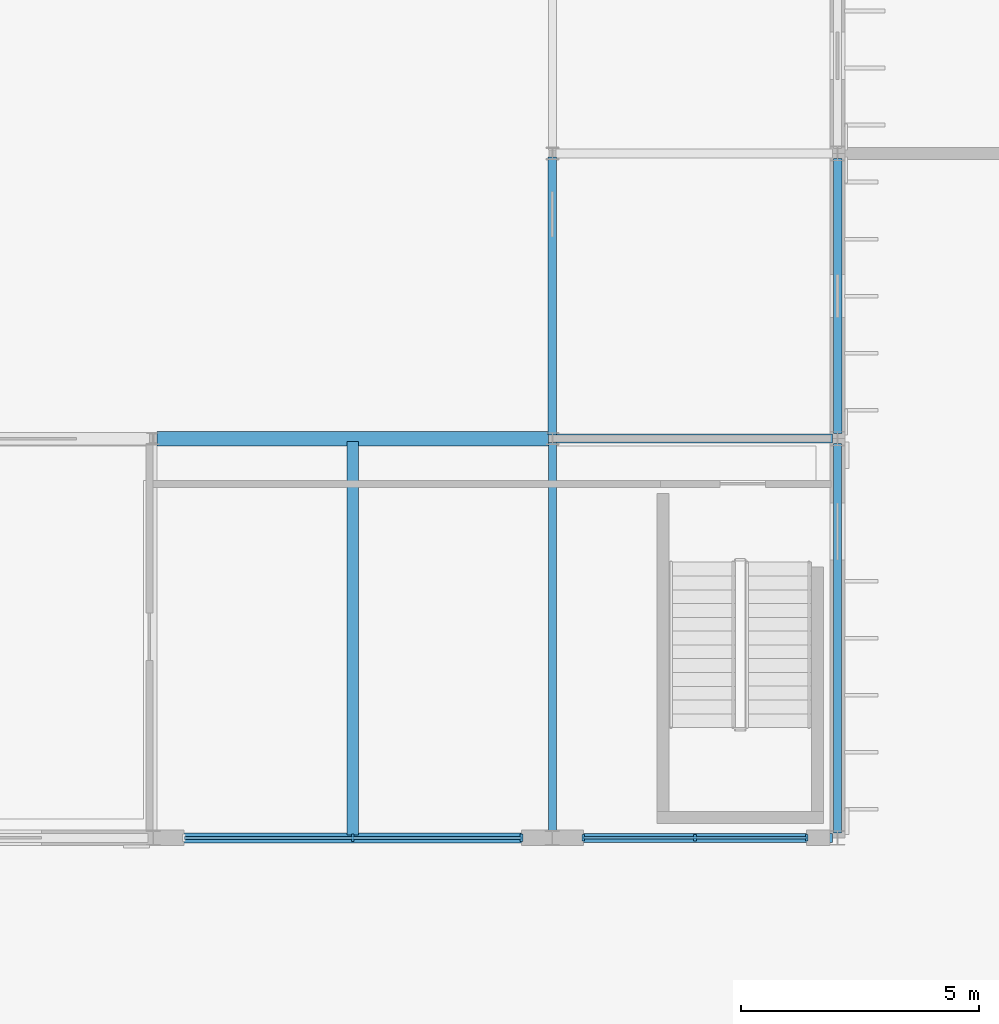
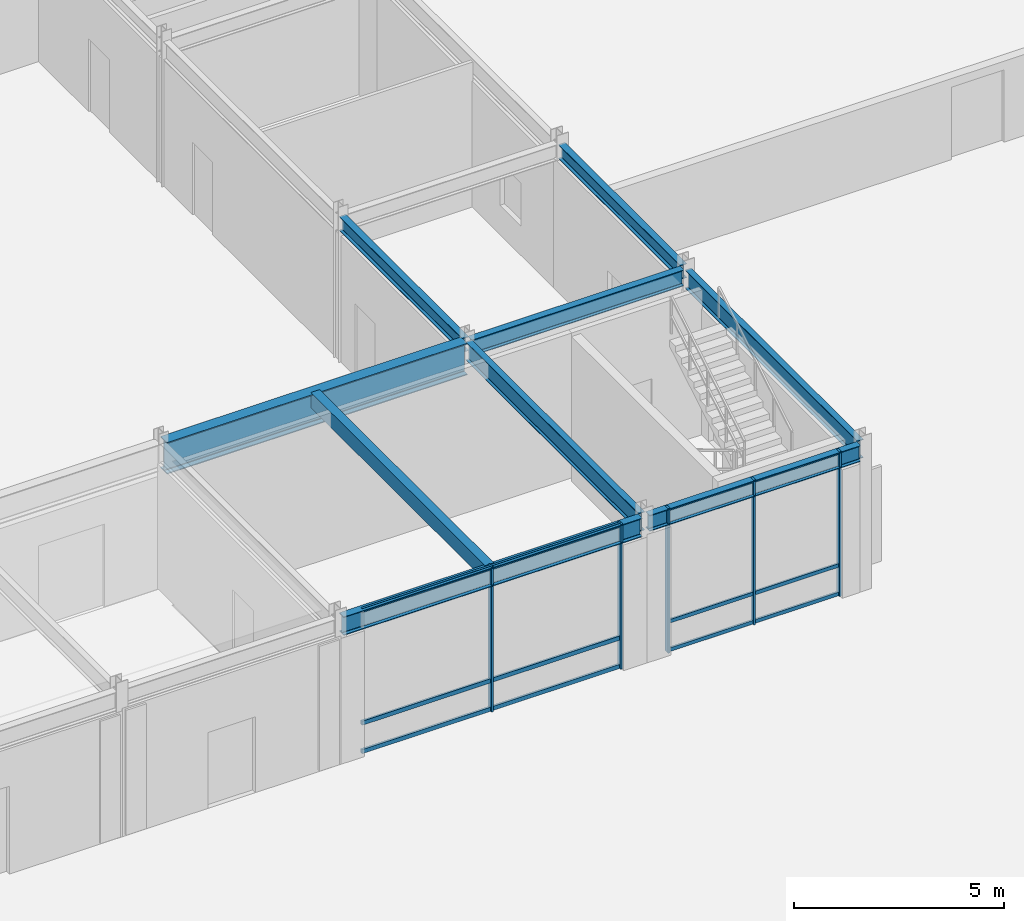
# One storey, part 18 of 67: 11 members, 9 beams, 2 elements without a shape of their own.
"""IFC4 building model written with IfcOpenShell, lengths in metres."""

import ifcopenshell
import ifcopenshell.guid

model = None  # the IFC model being written
_history = None  # IfcOwnerHistory: only IFC2X3 demands one
_inside = {}  # id of a spatial element -> (the spatial element, [elements in it])
_under = {}  # id of a project, library or spatial element -> (it, [spatial elements below it])
_declared = {}  # id of a project -> (the project, [libraries it declares])
_typed = {}  # id of a type object -> (the type object, [elements of that type])
_made_of = {}  # id of a material, layer set ... -> (it, [elements and type objects made of it])


def new_model(schema):
    """Start an empty IFC model of exactly this schema.

    Asked for "IFC4X3", IfcOpenShell would pick the latest addendum, in which some entities
    have other attributes; the version numbers below select the first issue.
    IFC2X3 requires an IfcOwnerHistory on every rooted entity: one is made here for all.
    """
    global model, _history
    if schema == "IFC4X3":
        model = ifcopenshell.file(schema_version=(4, 3, 0, 0))
    else:
        model = ifcopenshell.file(schema=schema)
    _inside.clear()
    _under.clear()
    _declared.clear()
    _typed.clear()
    _made_of.clear()
    _history = None
    if model.schema == "IFC2X3":
        org = make("IfcOrganization", Name="unknown")
        user = make(
            "IfcPersonAndOrganization",
            ThePerson=make("IfcPerson", FamilyName="unknown"),
            TheOrganization=org,
        )
        app = make(
            "IfcApplication",
            ApplicationDeveloper=org,
            Version="unknown",
            ApplicationFullName="unknown",
            ApplicationIdentifier="unknown",
        )
        _history = make(
            "IfcOwnerHistory",
            OwningUser=user,
            OwningApplication=app,
            ChangeAction="ADDED",
            CreationDate=0,
        )
    return model


def make(cls, **values):
    """One entity of the class cls with the attributes given. An attribute that is None is left unset."""
    return model.create_entity(
        cls, **{name: value for name, value in values.items() if value is not None}
    )


def rooted(cls, **values):
    """An entity with a GlobalId (a new one), such as an element, a storey or a relation."""
    return make(cls, GlobalId=ifcopenshell.guid.new(), OwnerHistory=_history, **values)


def si_unit(unit_type, name, prefix=None):
    """IfcSIUnit, for example si_unit("LENGTHUNIT", "METRE", prefix="MILLI")."""
    return make("IfcSIUnit", UnitType=unit_type, Prefix=prefix, Name=name)


def assignment(units):
    """IfcUnitAssignment: the units of a project."""
    return None if units is None else make("IfcUnitAssignment", Units=units)


def point(xyz):
    """IfcCartesianPoint."""
    return None if xyz is None else make("IfcCartesianPoint", Coordinates=xyz)


def direction(xyz):
    """IfcDirection."""
    return None if xyz is None else make("IfcDirection", DirectionRatios=xyz)


def frame(location, z_axis=None, x_axis=None):
    """IfcAxis2Placement3D, a coordinate frame: its origin and axes. An axis left out is left unset."""
    return make(
        "IfcAxis2Placement3D",
        Location=point(location),
        Axis=direction(z_axis),
        RefDirection=direction(x_axis),
    )


def frame_2d(location, x_axis=None):
    """IfcAxis2Placement2D, a coordinate frame in the plane: its origin and x axis."""
    return make(
        "IfcAxis2Placement2D", Location=point(location), RefDirection=direction(x_axis)
    )


def origin():
    """The frame at (0, 0, 0) with its axes left unset."""
    return frame((0.0, 0.0, 0.0))


def origin_2d():
    """The frame at (0, 0) in the plane with its x axis left unset."""
    return frame_2d((0.0, 0.0))


def place(relative_to, where):
    """IfcLocalPlacement: puts the frame where relative to a parent placement (None: the world)."""
    return make(
        "IfcLocalPlacement", PlacementRelTo=relative_to, RelativePlacement=where
    )


def context(
    kind, dimensions, precision=None, world=None, true_north=None, identifier=None
):
    """IfcGeometricRepresentationContext, for example the 3D "Model" context."""
    return make(
        "IfcGeometricRepresentationContext",
        ContextIdentifier=identifier,
        ContextType=kind,
        CoordinateSpaceDimension=dimensions,
        Precision=precision,
        WorldCoordinateSystem=world,
        TrueNorth=true_north,
    )


def subcontext(parent, identifier, kind, view, scale=None):
    """IfcGeometricRepresentationSubContext, for example "Body" below "Model"."""
    return make(
        "IfcGeometricRepresentationSubContext",
        ContextIdentifier=identifier,
        ContextType=kind,
        ParentContext=parent,
        TargetScale=scale,
        TargetView=view,
    )


def project(units=None, contexts=None):
    """IfcProject with its units and contexts."""
    return rooted(
        "IfcProject",
        Name="project",
        RepresentationContexts=contexts,
        UnitsInContext=assignment(units),
    )


def spatial(cls, under=None, at=None, **own):
    """A site, building, storey or space (cls), placed at a placement, below another one or the project."""
    s = rooted(cls, ObjectPlacement=at, **own)
    if under is not None:
        _under.setdefault(under.id(), (under, []))[1].append(s)
    return s


def profile(cls, at=None, kind="AREA", **sizes):
    """A parametric profile (cls). Its sizes go by their IFC names, for example OverallWidth=200.0."""
    return make(cls, ProfileType=kind, Position=at, **sizes)


def rectangle(**sizes):
    """IfcRectangleProfileDef."""
    return profile("IfcRectangleProfileDef", **sizes)


def i_section(**sizes):
    """IfcIShapeProfileDef."""
    return profile("IfcIShapeProfileDef", **sizes)


def extrude(swept, where, along, depth):
    """IfcExtrudedAreaSolid: the profile swept, set in the frame where, extruded along a direction by depth."""
    return make(
        "IfcExtrudedAreaSolid",
        SweptArea=swept,
        Position=where,
        ExtrudedDirection=direction(along),
        Depth=depth,
    )


def shape(context_of_items, identifier, shape_type, items):
    """IfcShapeRepresentation: the items that make up one representation, for example the "Body"."""
    return make(
        "IfcShapeRepresentation",
        ContextOfItems=context_of_items,
        RepresentationIdentifier=identifier,
        RepresentationType=shape_type,
        Items=items,
    )


def material(Name=None, Category=None):
    """IfcMaterial."""
    return make("IfcMaterial", Name=Name, Category=Category)


def material_profile(
    of_material, cross_section, Name=None, Category=None, Priority=None
):
    """IfcMaterialProfile: a cross section and its material."""
    return make(
        "IfcMaterialProfile",
        Name=Name,
        Material=of_material,
        Profile=cross_section,
        Priority=Priority,
        Category=Category,
    )


def profile_set(profiles, Name=None, composite=None):
    """IfcMaterialProfileSet."""
    return make(
        "IfcMaterialProfileSet",
        Name=Name,
        MaterialProfiles=profiles,
        CompositeProfile=composite,
    )


def made_of(thing, what):
    """Note that an element or type object is made of a material, layer set ...; save() writes the relation."""
    if what is not None:
        _made_of.setdefault(what.id(), (what, []))[1].append(thing)
    return thing


def type_object(cls, material=None, **own):
    """A type object (cls), such as IfcWallType, which elements share."""
    return made_of(rooted(cls, **own), material)


def element(
    cls,
    number,
    at=None,
    inside=None,
    cuts=None,
    type_object=None,
    material=None,
    context=None,
    identifier="Body",
    shape_type=None,
    held_by="IfcProductDefinitionShape",
    body=None,
    shapes=None,
    **own,
):
    """One element of the class cls, such as IfcWall. Its Tag is "e" and its number.

    at: its placement. inside: the storey or other place that contains it. cuts: it is an
    opening in that element (IfcRelVoidsElement). A single representation is given by context,
    identifier, shape_type and body (its items); several are given by shapes. held_by: the class
    of the entity that holds the representations. save() writes the other relations.
    """
    e = rooted(cls, Tag="e%d" % number, ObjectPlacement=at, **own)
    if body is not None:
        shapes = [shape(context, identifier, shape_type, body)]
    if shapes is not None:
        e.Representation = make(held_by, Representations=shapes)
    if inside is not None:
        _inside.setdefault(inside.id(), (inside, []))[1].append(e)
    if cuts is not None:
        rooted(
            "IfcRelVoidsElement", RelatingBuildingElement=cuts, RelatedOpeningElement=e
        )
    if type_object is not None:
        _typed.setdefault(type_object.id(), (type_object, []))[1].append(e)
    return made_of(e, material)


def aggregate(whole, parts):
    """IfcRelAggregates: a whole, such as a stair, and the parts it consists of."""
    return rooted("IfcRelAggregates", RelatingObject=whole, RelatedObjects=parts)


def save(model, path):
    """Write the relations noted so far, then the file.

    IfcRelAggregates (storeys below a building ...), IfcRelContainedInSpatialStructure (elements
    in a storey), IfcRelDefinesByType, IfcRelAssociatesMaterial and IfcRelDeclares: one each for
    every whole, place, type object, material and project.
    """
    for whole, parts in _under.values():
        aggregate(whole, parts)
    for where, things in _inside.values():
        rooted(
            "IfcRelContainedInSpatialStructure",
            RelatedElements=things,
            RelatingStructure=where,
        )
    for kind, things in _typed.values():
        rooted("IfcRelDefinesByType", RelatedObjects=things, RelatingType=kind)
    for what, things in _made_of.values():
        rooted("IfcRelAssociatesMaterial", RelatedObjects=things, RelatingMaterial=what)
    for by, libraries in _declared.values():
        rooted("IfcRelDeclares", RelatingContext=by, RelatedDefinitions=libraries)
    model.write(path)


model = new_model("IFC4")

# Units and contexts
model_context = context("Model", 3, precision=1e-05, world=origin(), true_north=direction((0.0, 1.0)))
body_context = subcontext(model_context, "Body", "Model", "MODEL_VIEW")
ifc_project = project(units=[si_unit("LENGTHUNIT", "METRE"), si_unit("AREAUNIT", "SQUARE_METRE"), si_unit("VOLUMEUNIT", "CUBIC_METRE"), si_unit("PLANEANGLEUNIT", "RADIAN"), si_unit("MASSUNIT", "GRAM", prefix="KILO"), si_unit("THERMODYNAMICTEMPERATUREUNIT", "KELVIN")], contexts=[model_context])

# Site, building, storey
site_placement = place(None, origin())
site = spatial("IfcSite", under=ifc_project, at=site_placement, CompositionType="ELEMENT")
building_placement = place(site_placement, origin())
building = spatial("IfcBuilding", under=site, at=building_placement, Name="Thalorik Housing Commons", CompositionType="ELEMENT")
storey_placement = place(building_placement, origin())
storey = spatial("IfcBuildingStorey", under=building, at=storey_placement, Name="L00", CompositionType="ELEMENT", Elevation=0.0)

# Curtain wall, members
ifc_material_1 = material(Name="Anodised aluminium and solar-control low-E glass", Category="aluminium")
curtain_wall_type = type_object("IfcCurtainWallType", Name="ARC-CW-CIVIC", PredefinedType="USERDEFINED", material=ifc_material_1)
curtain_wall_1_placement = place(storey_placement, origin())
curtain_wall_1 = element("IfcCurtainWall", 1, at=curtain_wall_1_placement, inside=storey, type_object=curtain_wall_type, Name="L00 Curtain Wall CW-HALL-L00-212", ObjectType="CURTAIN WALL", PredefinedType="USERDEFINED")
ifc_material_2 = material(Name="Anodised aluminium 6063-T6", Category="aluminium")
ifc_material_profile_1 = material_profile(ifc_material_2, rectangle(XDim=0.054931640625, YDim=0.139892578125, at=origin_2d()), Name="ALU MUL 55x140", Category="aluminium")
ifc_profile_set_1 = profile_set([ifc_material_profile_1], Name="Anodised aluminium 6063-T6")
member_type_1 = type_object("IfcMemberType", Name="ARC-CW-MUL-55x140", PredefinedType="MULLION", material=ifc_profile_set_1)
member_1_placement = place(storey_placement, frame((109.85009765625, 57.60009765625, 0.0), z_axis=(0.0, 0.0, 1.0), x_axis=(1.0, 0.0, 0.0)))
member_1 = element("IfcMember", 2, at=member_1_placement, type_object=member_type_1, Name="CW-HALL-L00-212 Mullion 1", PredefinedType="MULLION", context=body_context, shape_type="SweptSolid", body=[
    extrude(rectangle(XDim=0.054931640625, YDim=0.139892578125, at=origin_2d()), origin(), (0.0, 0.0, 1.0), 4.199951171875),
])
member_2_placement = place(storey_placement, frame((112.199951171875, 57.60009765625, 0.0), z_axis=(0.0, 0.0, 1.0), x_axis=(1.0, 0.0, 0.0)))
member_2 = element("IfcMember", 3, at=member_2_placement, type_object=member_type_1, Name="CW-HALL-L00-212 Mullion 2", PredefinedType="MULLION", context=body_context, shape_type="SweptSolid", body=[
    extrude(rectangle(XDim=0.054931640625, YDim=0.139892578125, at=origin_2d()), origin(), (0.0, 0.0, 1.0), 4.199951171875),
])
member_3_placement = place(storey_placement, frame((114.550048828125, 57.60009765625, 0.0), z_axis=(0.0, 0.0, 1.0), x_axis=(1.0, 0.0, 0.0)))
member_3 = element("IfcMember", 4, at=member_3_placement, type_object=member_type_1, Name="CW-HALL-L00-212 Mullion 3", PredefinedType="MULLION", context=body_context, shape_type="SweptSolid", body=[
    extrude(rectangle(XDim=0.054931640625, YDim=0.139892578125, at=origin_2d()), origin(), (0.0, 0.0, 1.0), 4.199951171875),
])

curtain_wall_2_placement = place(storey_placement, origin())
curtain_wall_2 = element("IfcCurtainWall", 5, at=curtain_wall_2_placement, inside=storey, type_object=curtain_wall_type, Name="L00 Curtain Wall CW-HALL-L00-211", ObjectType="CURTAIN WALL", PredefinedType="USERDEFINED")
ifc_material_profile_2 = material_profile(ifc_material_2, rectangle(XDim=0.06005859375, YDim=0.159912109375, at=origin_2d()), Name="ALU MUL 60x160", Category="aluminium")
ifc_profile_set_2 = profile_set([ifc_material_profile_2], Name="Anodised aluminium 6063-T6")
member_type_2 = type_object("IfcMemberType", Name="ARC-CW-MUL-60x160", PredefinedType="MULLION", material=ifc_profile_set_2)
member_4_placement = place(storey_placement, frame((105.0, 57.60009765625, 0.0), z_axis=(0.0, 0.0, 1.0), x_axis=(1.0, 0.0, 0.0)))
member_4 = element("IfcMember", 6, at=member_4_placement, type_object=member_type_2, Name="CW-HALL-L00-211 Mullion 2", PredefinedType="MULLION", context=body_context, shape_type="SweptSolid", body=[
    extrude(rectangle(XDim=0.06005859375, YDim=0.159912109375, at=origin_2d()), origin(), (0.0, 0.0, 1.0), 4.199951171875),
])
member_5_placement = place(storey_placement, frame((108.550048828125, 57.60009765625, 0.0), z_axis=(0.0, 0.0, 1.0), x_axis=(1.0, 0.0, 0.0)))
member_5 = element("IfcMember", 7, at=member_5_placement, type_object=member_type_2, Name="CW-HALL-L00-211 Mullion 3", PredefinedType="MULLION", context=body_context, shape_type="SweptSolid", body=[
    extrude(rectangle(XDim=0.06005859375, YDim=0.159912109375, at=origin_2d()), origin(), (0.0, 0.0, 1.0), 4.199951171875),
])

# Member
ifc_material_profile_3 = material_profile(ifc_material_2, rectangle(XDim=0.054931640625, YDim=0.10498046875, at=origin_2d()), Name="ALU TRN 55x105", Category="aluminium")
ifc_profile_set_3 = profile_set([ifc_material_profile_3], Name="Anodised aluminium 6063-T6")
member_type_3 = type_object("IfcMemberType", Name="ARC-CW-TRN-55x105", PredefinedType="USERDEFINED", material=ifc_profile_set_3)
member_6_placement = place(storey_placement, frame((109.85009765625, 57.60009765625, 0.054931640625), z_axis=(1.0, 0.0, 0.0), x_axis=(0.0, 1.0, 0.0)))
member_6 = element("IfcMember", 8, at=member_6_placement, type_object=member_type_3, Name="CW-HALL-L00-212 Transom 1", ObjectType="TRANSOM", PredefinedType="USERDEFINED", context=body_context, shape_type="SweptSolid", body=[
    extrude(rectangle(XDim=0.054931640625, YDim=0.10498046875, at=origin_2d()), origin(), (0.0, 0.0, 1.0), 4.699951171875),
])

member_7_placement = place(storey_placement, frame((109.85009765625, 57.60009765625, 0.8798828125), z_axis=(1.0, 0.0, 0.0), x_axis=(0.0, 1.0, 0.0)))
member_7 = element("IfcMember", 9, at=member_7_placement, type_object=member_type_3, Name="CW-HALL-L00-212 Transom 2", ObjectType="TRANSOM", PredefinedType="USERDEFINED", context=body_context, shape_type="SweptSolid", body=[
    extrude(rectangle(XDim=0.054931640625, YDim=0.10498046875, at=origin_2d()), origin(), (0.0, 0.0, 1.0), 4.699951171875),
])

member_8_placement = place(storey_placement, frame((109.85009765625, 57.60009765625, 4.14501953125), z_axis=(1.0, 0.0, 0.0), x_axis=(0.0, 1.0, 0.0)))
member_8 = element("IfcMember", 10, at=member_8_placement, type_object=member_type_3, Name="CW-HALL-L00-212 Transom 3", ObjectType="TRANSOM", PredefinedType="USERDEFINED", context=body_context, shape_type="SweptSolid", body=[
    extrude(rectangle(XDim=0.054931640625, YDim=0.10498046875, at=origin_2d()), origin(), (0.0, 0.0, 1.0), 4.699951171875),
])

aggregate(curtain_wall_1, [member_1, member_2, member_3, member_6, member_7, member_8])

ifc_material_profile_4 = material_profile(ifc_material_2, rectangle(XDim=0.06005859375, YDim=0.1201171875, at=origin_2d()), Name="ALU TRN 60x120", Category="aluminium")
ifc_profile_set_4 = profile_set([ifc_material_profile_4], Name="Anodised aluminium 6063-T6")
member_type_4 = type_object("IfcMemberType", Name="ARC-CW-TRN-60x120", PredefinedType="USERDEFINED", material=ifc_profile_set_4)
member_9_placement = place(storey_placement, frame((101.449951171875, 57.60009765625, 0.054931640625), z_axis=(1.0, 0.0, 0.0), x_axis=(0.0, 1.0, 0.0)))
member_9 = element("IfcMember", 11, at=member_9_placement, type_object=member_type_4, Name="CW-HALL-L00-211 Transom 1", ObjectType="TRANSOM", PredefinedType="USERDEFINED", context=body_context, shape_type="SweptSolid", body=[
    extrude(rectangle(XDim=0.06005859375, YDim=0.1201171875, at=origin_2d()), origin(), (0.0, 0.0, 1.0), 7.10009765625),
])

member_10_placement = place(storey_placement, frame((101.449951171875, 57.60009765625, 0.8798828125), z_axis=(1.0, 0.0, 0.0), x_axis=(0.0, 1.0, 0.0)))
member_10 = element("IfcMember", 12, at=member_10_placement, type_object=member_type_4, Name="CW-HALL-L00-211 Transom 2", ObjectType="TRANSOM", PredefinedType="USERDEFINED", context=body_context, shape_type="SweptSolid", body=[
    extrude(rectangle(XDim=0.06005859375, YDim=0.1201171875, at=origin_2d()), origin(), (0.0, 0.0, 1.0), 7.10009765625),
])

member_11_placement = place(storey_placement, frame((101.449951171875, 57.60009765625, 4.14501953125), z_axis=(1.0, 0.0, 0.0), x_axis=(0.0, 1.0, 0.0)))
member_11 = element("IfcMember", 13, at=member_11_placement, type_object=member_type_4, Name="CW-HALL-L00-211 Transom 3", ObjectType="TRANSOM", PredefinedType="USERDEFINED", context=body_context, shape_type="SweptSolid", body=[
    extrude(rectangle(XDim=0.06005859375, YDim=0.1201171875, at=origin_2d()), origin(), (0.0, 0.0, 1.0), 7.10009765625),
])

aggregate(curtain_wall_2, [member_4, member_5, member_9, member_10, member_11])

# Beams
ifc_material_3 = material(Name="Steel S355", Category="steel")
ifc_material_profile_5 = material_profile(ifc_material_3, i_section(OverallWidth=0.179931640625, OverallDepth=0.4130859375, WebThickness=0.009765625, FlangeThickness=0.01611328125, FilletRadius=0.010986328125, at=origin_2d()), Name="W410x75", Category="steel")
ifc_profile_set_5 = profile_set([ifc_material_profile_5], Name="Steel S355")
beam_type_1 = type_object("IfcBeamType", Name="STR-BM-W410x75", PredefinedType="BEAM", material=ifc_profile_set_5)
beam_1_placement = place(storey_placement, frame((109.199951171875, 66.076904296875, 3.993408203125), z_axis=(0.0, 1.0, 0.0), x_axis=(-1.0, 0.0, 0.0)))
element("IfcBeam", 14, at=beam_1_placement, inside=storey, type_object=beam_type_1, Name="L00 Beam SB-410", PredefinedType="BEAM", context=body_context, shape_type="SweptSolid", body=[
    extrude(i_section(OverallWidth=0.179931640625, OverallDepth=0.4130859375, WebThickness=0.009765625, FlangeThickness=0.01611328125, FilletRadius=0.010986328125, at=origin_2d()), origin(), (0.0, 0.0, 1.0), 5.84619140625),
])
beam_2_placement = place(storey_placement, frame((115.199951171875, 66.10400390625, 3.993408203125), z_axis=(0.0, 1.0, 0.0), x_axis=(-1.0, 0.0, 0.0)))
element("IfcBeam", 15, at=beam_2_placement, inside=storey, type_object=beam_type_1, Name="L00 Beam SB-410", PredefinedType="BEAM", context=body_context, shape_type="SweptSolid", body=[
    extrude(i_section(OverallWidth=0.179931640625, OverallDepth=0.4130859375, WebThickness=0.009765625, FlangeThickness=0.01611328125, FilletRadius=0.010986328125, at=origin_2d()), origin(), (0.0, 0.0, 1.0), 5.7919921875),
])
ifc_material_profile_6 = material_profile(ifc_material_3, i_section(OverallWidth=0.19189453125, OverallDepth=0.462890625, WebThickness=0.010498046875, FlangeThickness=0.017578125, FilletRadius=0.011962890625, at=origin_2d()), Name="W460x89", Category="steel")
ifc_profile_set_6 = profile_set([ifc_material_profile_6], Name="Steel S355")
beam_type_2 = type_object("IfcBeamType", Name="STR-BM-W460x89", PredefinedType="BEAM", material=ifc_profile_set_6)
beam_3_placement = place(storey_placement, frame((109.304931640625, 57.60009765625, 3.968505859375), z_axis=(1.0, 0.0, 0.0), x_axis=(0.0, 1.0, 0.0)))
element("IfcBeam", 16, at=beam_3_placement, inside=storey, type_object=beam_type_2, Name="L00 Beam SB-460", PredefinedType="BEAM", context=body_context, shape_type="SweptSolid", body=[
    extrude(i_section(OverallWidth=0.19189453125, OverallDepth=0.462890625, WebThickness=0.010498046875, FlangeThickness=0.017578125, FilletRadius=0.011962890625, at=origin_2d()), origin(), (0.0, 0.0, 1.0), 5.7900390625),
])
beam_4_placement = place(storey_placement, frame((109.280029296875, 66.0, 3.968505859375), z_axis=(1.0, 0.0, 0.0), x_axis=(0.0, 1.0, 0.0)))
element("IfcBeam", 17, at=beam_4_placement, inside=storey, type_object=beam_type_2, Name="L00 Beam SB-460", PredefinedType="BEAM", context=body_context, shape_type="SweptSolid", body=[
    extrude(i_section(OverallWidth=0.19189453125, OverallDepth=0.462890625, WebThickness=0.010498046875, FlangeThickness=0.017578125, FilletRadius=0.011962890625, at=origin_2d()), origin(), (0.0, 0.0, 1.0), 5.81494140625),
])
ifc_material_profile_7 = material_profile(ifc_material_3, i_section(OverallWidth=0.2109375, OverallDepth=0.5390625, WebThickness=0.01171875, FlangeThickness=0.018798828125, FilletRadius=0.012939453125, at=origin_2d()), Name="W530x109", Category="steel")
ifc_profile_set_7 = profile_set([ifc_material_profile_7], Name="Steel S355")
beam_type_3 = type_object("IfcBeamType", Name="STR-BM-W530x109", PredefinedType="BEAM", material=ifc_profile_set_7)
beam_5_placement = place(storey_placement, frame((100.905029296875, 57.60009765625, 3.930419921875), z_axis=(1.0, 0.0, 0.0), x_axis=(0.0, 1.0, 0.0)))
element("IfcBeam", 18, at=beam_5_placement, inside=storey, type_object=beam_type_3, Name="L00 Beam SB-530", PredefinedType="BEAM", context=body_context, shape_type="SweptSolid", body=[
    extrude(i_section(OverallWidth=0.2109375, OverallDepth=0.5390625, WebThickness=0.01171875, FlangeThickness=0.018798828125, FilletRadius=0.012939453125, at=origin_2d()), origin(), (0.0, 0.0, 1.0), 8.18994140625),
])
ifc_material_profile_8 = material_profile(ifc_material_3, i_section(OverallWidth=0.166015625, OverallDepth=0.534912109375, WebThickness=0.01025390625, FlangeThickness=0.0166015625, FilletRadius=0.012939453125, at=origin_2d()), Name="W530x85", Category="steel")
ifc_profile_set_8 = profile_set([ifc_material_profile_8], Name="Steel S355")
beam_type_4 = type_object("IfcBeamType", Name="STR-BM-W530x85", PredefinedType="BEAM", material=ifc_profile_set_8)
beam_6_placement = place(storey_placement, frame((109.199951171875, 57.7041015625, 3.9326171875), z_axis=(0.0, 1.0, 0.0), x_axis=(-1.0, 0.0, 0.0)))
element("IfcBeam", 19, at=beam_6_placement, inside=storey, type_object=beam_type_4, Name="L00 Beam SB-535", PredefinedType="BEAM", context=body_context, shape_type="SweptSolid", body=[
    extrude(i_section(OverallWidth=0.166015625, OverallDepth=0.534912109375, WebThickness=0.01025390625, FlangeThickness=0.0166015625, FilletRadius=0.012939453125, at=origin_2d()), origin(), (0.0, 0.0, 1.0), 8.218994140625),
])
beam_7_placement = place(storey_placement, frame((115.199951171875, 57.7041015625, 3.9326171875), z_axis=(0.0, 1.0, 0.0), x_axis=(-1.0, 0.0, 0.0)))
element("IfcBeam", 20, at=beam_7_placement, inside=storey, type_object=beam_type_4, Name="L00 Beam SB-535", PredefinedType="BEAM", context=body_context, shape_type="SweptSolid", body=[
    extrude(i_section(OverallWidth=0.166015625, OverallDepth=0.534912109375, WebThickness=0.01025390625, FlangeThickness=0.0166015625, FilletRadius=0.012939453125, at=origin_2d()), origin(), (0.0, 0.0, 1.0), 8.19189453125),
])
ifc_material_profile_9 = material_profile(ifc_material_3, i_section(OverallWidth=0.305908203125, OverallDepth=0.9189453125, WebThickness=0.017333984375, FlangeThickness=0.02783203125, FilletRadius=0.01806640625, at=origin_2d()), Name="W920x253", Category="steel")
ifc_profile_set_9 = profile_set([ifc_material_profile_9], Name="Steel S355")
beam_type_5 = type_object("IfcBeamType", Name="STR-BM-W920x253", PredefinedType="BEAM", material=ifc_profile_set_9)
beam_8_placement = place(storey_placement, frame((100.8798828125, 66.0, 3.740478515625), z_axis=(1.0, 0.0, 0.0), x_axis=(0.0, 1.0, 0.0)))
element("IfcBeam", 21, at=beam_8_placement, inside=storey, type_object=beam_type_5, Name="L00 Beam SB-530", PredefinedType="BEAM", context=body_context, shape_type="SweptSolid", body=[
    extrude(i_section(OverallWidth=0.305908203125, OverallDepth=0.9189453125, WebThickness=0.017333984375, FlangeThickness=0.02783203125, FilletRadius=0.01806640625, at=origin_2d()), origin(), (0.0, 0.0, 1.0), 8.240234375),
])
ifc_material_4 = material(Name="Precast concrete C40/50", Category="concrete")
ifc_material_profile_10 = material_profile(ifc_material_4, rectangle(XDim=0.239990234375, YDim=0.43994140625, at=origin_2d()), Name="PC JST 240x440", Category="concrete")
ifc_profile_set_10 = profile_set([ifc_material_profile_10], Name="Precast concrete C40/50")
beam_type_6 = type_object("IfcBeamType", Name="STR-JST-PC240x440", PredefinedType="JOIST", material=ifc_profile_set_10)
beam_9_placement = place(storey_placement, frame((105.0, 57.655517578125, 3.97998046875), z_axis=(0.0, 1.0, 0.0), x_axis=(-1.0, 0.0, 0.0)))
element("IfcBeam", 22, at=beam_9_placement, inside=storey, type_object=beam_type_6, Name="L00 Beam J-440", PredefinedType="JOIST", context=body_context, shape_type="SweptSolid", body=[
    extrude(rectangle(XDim=0.239990234375, YDim=0.43994140625, at=origin_2d()), origin(), (0.0, 0.0, 1.0), 8.2890625),
])

save(model, "model.ifc")
